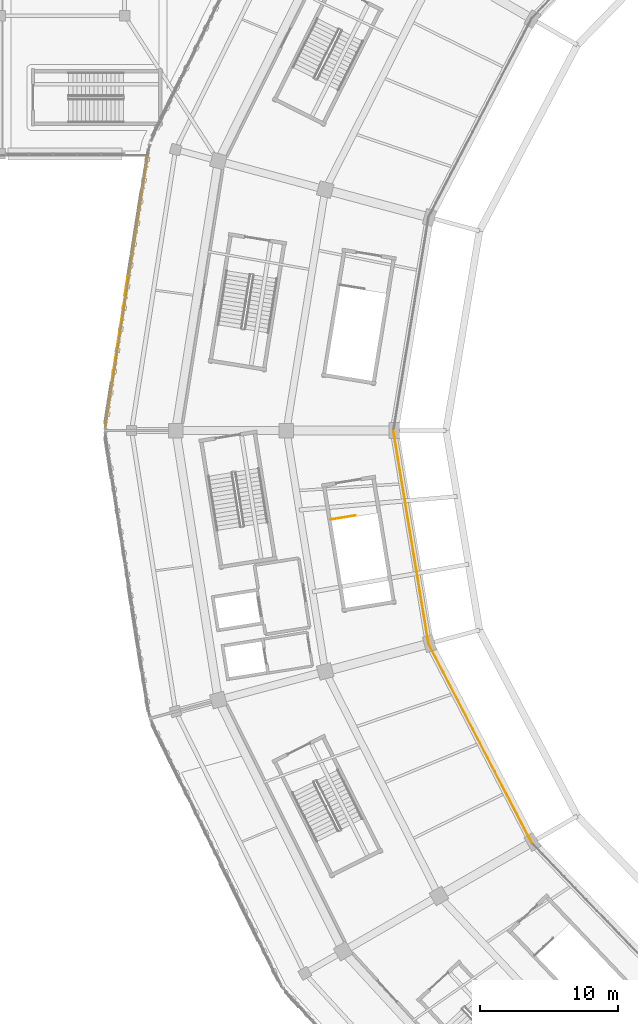
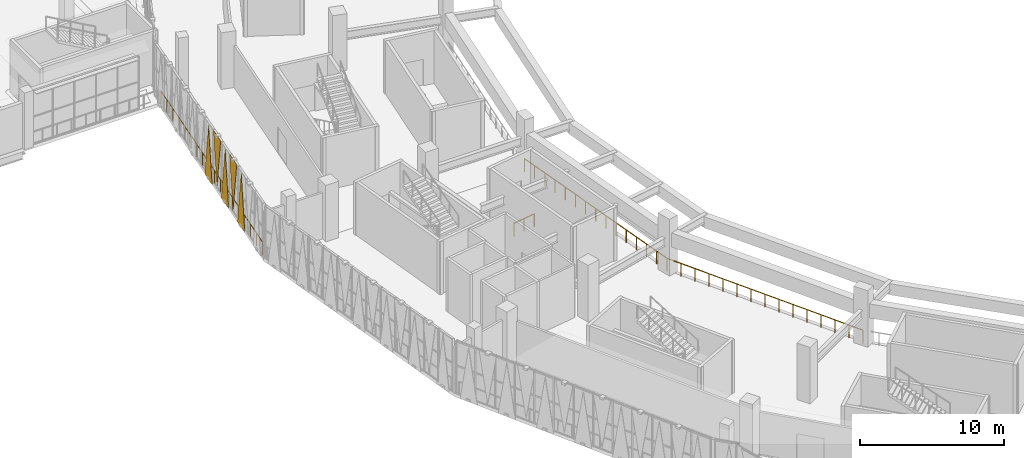
# One storey, part 137 of 179: 5 coverings, 4 railings.
"""IFC4 building model written with IfcOpenShell, lengths in metres."""

from ifc_helpers import new_model, si_unit, direction, frame, origin, origin_2d, place, context, subcontext, project, spatial, polyline, circle, outline, extrude, material, layer, layer_set, type_object, element, save


model = new_model("IFC4")

# Units and contexts
model_context = context("Model", 3, precision=1e-05, world=origin(), true_north=direction((0.0, 1.0)))
body_context = subcontext(model_context, "Body", "Model", "MODEL_VIEW")
ifc_project = project(units=[si_unit("LENGTHUNIT", "METRE"), si_unit("AREAUNIT", "SQUARE_METRE"), si_unit("VOLUMEUNIT", "CUBIC_METRE"), si_unit("PLANEANGLEUNIT", "RADIAN"), si_unit("MASSUNIT", "GRAM", prefix="KILO")], contexts=[model_context])

# Site, building, storey
site_placement = place(None, origin())
site = spatial("IfcSite", under=ifc_project, at=site_placement, CompositionType="ELEMENT")
building_placement = place(site_placement, origin())
building = spatial("IfcBuilding", under=site, at=building_placement, Name="Zevraka Park Crest Stadium", CompositionType="ELEMENT")
storey_placement = place(building_placement, frame((0.0, 0.0, 10.199951171875)))
storey = spatial("IfcBuildingStorey", under=building, at=storey_placement, Name="L02", CompositionType="ELEMENT", Elevation=10.199951171875)

# Coverings
ifc_material_1 = material(Name="Architectural golden-bronze perforated aluminium", Category="aluminium")
ifc_layer = layer(ifc_material_1, 0.034912109375)
ifc_layer_set = layer_set([ifc_layer], Name="Architectural golden-bronze perforated aluminium")
covering_type = type_object("IfcCoveringType", Name="CLD01", PredefinedType="CLADDING", material=ifc_layer_set)
covering_1_placement = place(storey_placement, frame((18.23388671875, 103.10595703125, -0.239990234375), z_axis=(0.988151922623, -0.153478915641, 1.6434192e-05), x_axis=(-0.153478915662, -0.988151922756, 0.0)))
element("IfcCovering", 1, at=covering_1_placement, inside=storey, type_object=covering_type, Name="Triangular Golden-Bronze Perforated Cladding L02-11-7", PredefinedType="CLADDING", context=body_context, shape_type="SweptSolid", body=[
    extrude(outline(polyline([(0.0, 0.0), (1.3934629820473974, 0.0), (0.6962489949676653, -4.560058594365796), (0.0, 0.0)])), origin(), (0.0, 0.0, -1.0), 0.034912109375),
])
covering_2_placement = place(storey_placement, frame((17.780029296875, 100.195068359375, 4.47998046875), z_axis=(-0.988001994963, 0.154441049958, 0.000141555676), x_axis=(0.154441051505, 0.988002004861, 0.0)))
element("IfcCovering", 2, at=covering_2_placement, inside=storey, type_object=covering_type, Name="Triangular Golden-Bronze Perforated Cladding L02-11-8", PredefinedType="CLADDING", context=body_context, shape_type="SweptSolid", body=[
    extrude(outline(polyline([(0.0, 0.0), (1.392686002386334, 0.0), (0.6962487378560668, 4.260009808306059), (0.0, 0.0)])), origin(), (0.0, 0.0, -1.0), 0.034912109375),
])
covering_3_placement = place(storey_placement, frame((17.7548828125, 100.037109375, -0.239990234375), z_axis=(-0.988032905729, 0.154243206855, 0.000101667427), x_axis=(-0.154243207652, -0.988032910835, 0.0)))
element("IfcCovering", 3, at=covering_3_placement, inside=storey, type_object=covering_type, Name="Triangular Golden-Bronze Perforated Cladding L02-11-9", PredefinedType="CLADDING", context=body_context, shape_type="SweptSolid", body=[
    extrude(outline(polyline([(0.0, 0.0), (1.3928895364040654, 0.0), (0.6962488446496103, 4.560058617316989), (0.0, 0.0)])), origin(), (0.0, 0.0, -1.0), 0.034912109375),
])
covering_4_placement = place(storey_placement, frame((17.301025390625, 97.126953125, 4.47998046875), z_axis=(-0.988001994963, 0.154441049958, 0.000141555676), x_axis=(0.154441051505, 0.988002004861, 0.0)))
element("IfcCovering", 4, at=covering_4_placement, inside=storey, type_object=covering_type, Name="Triangular Golden-Bronze Perforated Cladding L02-11-10", PredefinedType="CLADDING", context=body_context, shape_type="SweptSolid", body=[
    extrude(outline(polyline([(0.0, 0.0), (1.392686002386334, 0.0), (0.6962487378560668, 4.260009808306059), (0.0, 0.0)])), origin(), (0.0, 0.0, -1.0), 0.034912109375),
])
covering_5_placement = place(storey_placement, frame((17.27587890625, 96.968017578125, -0.239990234375), z_axis=(-0.988028734228, 0.154269923016, 0.000105795988), x_axis=(-0.15426992388, -0.988028739757, 0.0)))
element("IfcCovering", 5, at=covering_5_placement, inside=storey, type_object=covering_type, Name="Triangular Golden-Bronze Perforated Cladding L02-11-11", PredefinedType="CLADDING", context=body_context, shape_type="SweptSolid", body=[
    extrude(outline(polyline([(0.0, 0.0), (1.3926483179408142, -3.3881317890172014e-21), (0.6962488318591378, 4.560058619269892), (0.0, 0.0)])), origin(), (0.0, 0.0, -1.0), 0.034912109375),
])

# Railings
ifc_material_2 = material(Name="Galvanised and bronze-finished steel balustrade", Category="steel")
railing_type_1 = type_object("IfcRailingType", Name="GR01", PredefinedType="GUARDRAIL", material=ifc_material_2)
railing_1_placement = place(storey_placement, frame((16.626953125, 92.360107421875, 0.0)))
element("IfcRailing", 6, at=railing_1_placement, inside=storey, type_object=railing_type_1, Name="Deck Edge Protection Guardrail GR01 L02-49", PredefinedType="GUARDRAIL", context=body_context, shape_type="SweptSolid", body=[
    extrude(circle(Radius=0.02392578125, at=origin_2d()), frame((0.0, 0.0, 1.076171875), z_axis=(0.15433550494, 0.98801849776, 0.0), x_axis=(-0.98801849776, 0.15433550494, 0.0)), (0.0, 0.0, 1.0), 19.6201171875),
    extrude(circle(Radius=0.02099609375, at=origin_2d()), origin(), (0.0, 0.0, 1.0), 1.052001953125),
    extrude(circle(Radius=0.02099609375, at=origin_2d()), frame((0.17822265625, 1.140380859375, 0.0)), (0.0, 0.0, 1.0), 1.052001953125),
    extrude(circle(Radius=0.02099609375, at=origin_2d()), frame((0.356201171875, 2.280517578125, 0.0)), (0.0, 0.0, 1.0), 1.052001953125),
    extrude(circle(Radius=0.02099609375, at=origin_2d()), frame((0.534423828125, 3.4208984375, 0.0)), (0.0, 0.0, 1.0), 1.052001953125),
    extrude(circle(Radius=0.02099609375, at=origin_2d()), frame((0.71240234375, 4.561279296875, 0.0)), (0.0, 0.0, 1.0), 1.052001953125),
    extrude(circle(Radius=0.02099609375, at=origin_2d()), frame((0.890625, 5.701416015625, 0.0)), (0.0, 0.0, 1.0), 1.052001953125),
    extrude(circle(Radius=0.02099609375, at=origin_2d()), frame((1.06884765625, 6.841796875, 0.0)), (0.0, 0.0, 1.0), 1.052001953125),
    extrude(circle(Radius=0.02099609375, at=origin_2d()), frame((1.246826171875, 7.982177734375, 0.0)), (0.0, 0.0, 1.0), 1.052001953125),
    extrude(circle(Radius=0.02099609375, at=origin_2d()), frame((1.425048828125, 9.122314453125, 0.0)), (0.0, 0.0, 1.0), 1.052001953125),
    extrude(circle(Radius=0.02099609375, at=origin_2d()), frame((1.60302734375, 10.2626953125, 0.0)), (0.0, 0.0, 1.0), 1.052001953125),
    extrude(circle(Radius=0.02099609375, at=origin_2d()), frame((1.78125, 11.40283203125, 0.0)), (0.0, 0.0, 1.0), 1.052001953125),
    extrude(circle(Radius=0.02099609375, at=origin_2d()), frame((1.959228515625, 12.543212890625, 0.0)), (0.0, 0.0, 1.0), 1.052001953125),
    extrude(circle(Radius=0.02099609375, at=origin_2d()), frame((2.137451171875, 13.68359375, 0.0)), (0.0, 0.0, 1.0), 1.052001953125),
    extrude(circle(Radius=0.02099609375, at=origin_2d()), frame((2.315673828125, 14.82373046875, 0.0)), (0.0, 0.0, 1.0), 1.052001953125),
    extrude(circle(Radius=0.02099609375, at=origin_2d()), frame((2.49365234375, 15.964111328125, 0.0)), (0.0, 0.0, 1.0), 1.052001953125),
    extrude(circle(Radius=0.02099609375, at=origin_2d()), frame((2.671875, 17.1044921875, 0.0)), (0.0, 0.0, 1.0), 1.052001953125),
    extrude(circle(Radius=0.02099609375, at=origin_2d()), frame((2.849853515625, 18.24462890625, 0.0)), (0.0, 0.0, 1.0), 1.052001953125),
    extrude(circle(Radius=0.02099609375, at=origin_2d()), frame((3.028076171875, 19.385009765625, 0.0)), (0.0, 0.0, 1.0), 1.052001953125),
])
railing_2_placement = place(storey_placement, frame((37.43310546875, 91.97900390625, 0.0)))
element("IfcRailing", 7, at=railing_2_placement, inside=storey, type_object=railing_type_1, Name="Deck Edge Protection Guardrail GR01 L02-75", PredefinedType="GUARDRAIL", context=body_context, shape_type="SweptSolid", body=[
    extrude(circle(Radius=0.02392578125, at=origin_2d()), frame((0.0, 0.0, 1.076171875), z_axis=(0.162758060449, -0.986666009224, 0.0), x_axis=(0.986666009224, 0.162758060449, 0.0)), (0.0, 0.0, 1.0), 15.6123046875),
    extrude(circle(Radius=0.02099609375, at=origin_2d()), origin(), (0.0, 0.0, 1.0), 1.052001953125),
    extrude(circle(Radius=0.02099609375, at=origin_2d()), frame((0.181396484375, -1.100341796875, 0.0)), (0.0, 0.0, 1.0), 1.052001953125),
    extrude(circle(Radius=0.02099609375, at=origin_2d()), frame((0.363037109375, -2.20068359375, 0.0)), (0.0, 0.0, 1.0), 1.052001953125),
    extrude(circle(Radius=0.02099609375, at=origin_2d()), frame((0.54443359375, -3.30078125, 0.0)), (0.0, 0.0, 1.0), 1.052001953125),
    extrude(circle(Radius=0.02099609375, at=origin_2d()), frame((0.72607421875, -4.401123046875, 0.0)), (0.0, 0.0, 1.0), 1.052001953125),
    extrude(circle(Radius=0.02099609375, at=origin_2d()), frame((0.907470703125, -5.50146484375, 0.0)), (0.0, 0.0, 1.0), 1.052001953125),
    extrude(circle(Radius=0.02099609375, at=origin_2d()), frame((1.089111328125, -6.601806640625, 0.0)), (0.0, 0.0, 1.0), 1.052001953125),
    extrude(circle(Radius=0.02099609375, at=origin_2d()), frame((1.2705078125, -7.7021484375, 0.0)), (0.0, 0.0, 1.0), 1.052001953125),
    extrude(circle(Radius=0.02099609375, at=origin_2d()), frame((1.451904296875, -8.80224609375, 0.0)), (0.0, 0.0, 1.0), 1.052001953125),
    extrude(circle(Radius=0.02099609375, at=origin_2d()), frame((1.633544921875, -9.902587890625, 0.0)), (0.0, 0.0, 1.0), 1.052001953125),
    extrude(circle(Radius=0.02099609375, at=origin_2d()), frame((1.81494140625, -11.0029296875, 0.0)), (0.0, 0.0, 1.0), 1.052001953125),
    extrude(circle(Radius=0.02099609375, at=origin_2d()), frame((1.99658203125, -12.103271484375, 0.0)), (0.0, 0.0, 1.0), 1.052001953125),
    extrude(circle(Radius=0.02099609375, at=origin_2d()), frame((2.177978515625, -13.203369140625, 0.0)), (0.0, 0.0, 1.0), 1.052001953125),
    extrude(circle(Radius=0.02099609375, at=origin_2d()), frame((2.359619140625, -14.3037109375, 0.0)), (0.0, 0.0, 1.0), 1.052001953125),
    extrude(circle(Radius=0.02099609375, at=origin_2d()), frame((2.541015625, -15.404052734375, 0.0)), (0.0, 0.0, 1.0), 1.052001953125),
])
railing_3_placement = place(storey_placement, frame((39.97412109375, 76.574951171875, 0.0)))
element("IfcRailing", 8, at=railing_3_placement, inside=storey, type_object=railing_type_1, Name="Deck Edge Protection Guardrail GR01 L02-76", PredefinedType="GUARDRAIL", context=body_context, shape_type="SweptSolid", body=[
    extrude(circle(Radius=0.02392578125, at=origin_2d()), frame((0.0, 0.0, 1.076171875), z_axis=(0.460408301879, -0.887707269071, 0.0), x_axis=(0.887707269071, 0.460408301879, 0.0)), (0.0, 0.0, 1.0), 16.185546875),
    extrude(circle(Radius=0.02099609375, at=origin_2d()), origin(), (0.0, 0.0, 1.0), 1.052001953125),
    extrude(circle(Radius=0.02099609375, at=origin_2d()), frame((0.5322265625, -1.0263671875, 0.0)), (0.0, 0.0, 1.0), 1.052001953125),
    extrude(circle(Radius=0.02099609375, at=origin_2d()), frame((1.064453125, -2.052490234375, 0.0)), (0.0, 0.0, 1.0), 1.052001953125),
    extrude(circle(Radius=0.02099609375, at=origin_2d()), frame((1.596923828125, -3.078857421875, 0.0)), (0.0, 0.0, 1.0), 1.052001953125),
    extrude(circle(Radius=0.02099609375, at=origin_2d()), frame((2.129150390625, -4.105224609375, 0.0)), (0.0, 0.0, 1.0), 1.052001953125),
    extrude(circle(Radius=0.02099609375, at=origin_2d()), frame((2.661376953125, -5.13134765625, 0.0)), (0.0, 0.0, 1.0), 1.052001953125),
    extrude(circle(Radius=0.02099609375, at=origin_2d()), frame((3.193603515625, -6.15771484375, 0.0)), (0.0, 0.0, 1.0), 1.052001953125),
    extrude(circle(Radius=0.02099609375, at=origin_2d()), frame((3.72607421875, -7.18408203125, 0.0)), (0.0, 0.0, 1.0), 1.052001953125),
    extrude(circle(Radius=0.02099609375, at=origin_2d()), frame((4.25830078125, -8.210205078125, 0.0)), (0.0, 0.0, 1.0), 1.052001953125),
    extrude(circle(Radius=0.02099609375, at=origin_2d()), frame((4.79052734375, -9.236572265625, 0.0)), (0.0, 0.0, 1.0), 1.052001953125),
    extrude(circle(Radius=0.02099609375, at=origin_2d()), frame((5.32275390625, -10.2626953125, 0.0)), (0.0, 0.0, 1.0), 1.052001953125),
    extrude(circle(Radius=0.02099609375, at=origin_2d()), frame((5.85498046875, -11.2890625, 0.0)), (0.0, 0.0, 1.0), 1.052001953125),
    extrude(circle(Radius=0.02099609375, at=origin_2d()), frame((6.387451171875, -12.3154296875, 0.0)), (0.0, 0.0, 1.0), 1.052001953125),
    extrude(circle(Radius=0.02099609375, at=origin_2d()), frame((6.919677734375, -13.341552734375, 0.0)), (0.0, 0.0, 1.0), 1.052001953125),
    extrude(circle(Radius=0.02099609375, at=origin_2d()), frame((7.451904296875, -14.367919921875, 0.0)), (0.0, 0.0, 1.0), 1.052001953125),
])
ifc_material_3 = material(Name="Powder-coated tubular steel stairwell guard", Category="steel")
railing_type_2 = type_object("IfcRailingType", Name="GR03", PredefinedType="GUARDRAIL", material=ifc_material_3)
railing_4_placement = place(storey_placement, frame((32.894775390625, 85.565185546875, 0.0)))
element("IfcRailing", 9, at=railing_4_placement, inside=storey, type_object=railing_type_2, Name="L02 ST39 top well guard 1", PredefinedType="GUARDRAIL", context=body_context, shape_type="SweptSolid", body=[
    extrude(circle(Radius=0.02392578125, at=origin_2d()), frame((0.0, 0.0, 1.076171875), z_axis=(0.987010254742, 0.160657265737, 0.0), x_axis=(-0.160657265737, 0.987010254742, 0.0)), (0.0, 0.0, 1.0), 1.809814453125),
    extrude(circle(Radius=0.02099609375, at=origin_2d()), origin(), (0.0, 0.0, 1.0), 1.052001953125),
    extrude(circle(Radius=0.02099609375, at=origin_2d()), frame((0.89306640625, 0.1455078125, 0.0)), (0.0, 0.0, 1.0), 1.052001953125),
    extrude(circle(Radius=0.02099609375, at=origin_2d()), frame((1.786376953125, 0.290771484375, 0.0)), (0.0, 0.0, 1.0), 1.052001953125),
])

save(model, "model.ifc")
